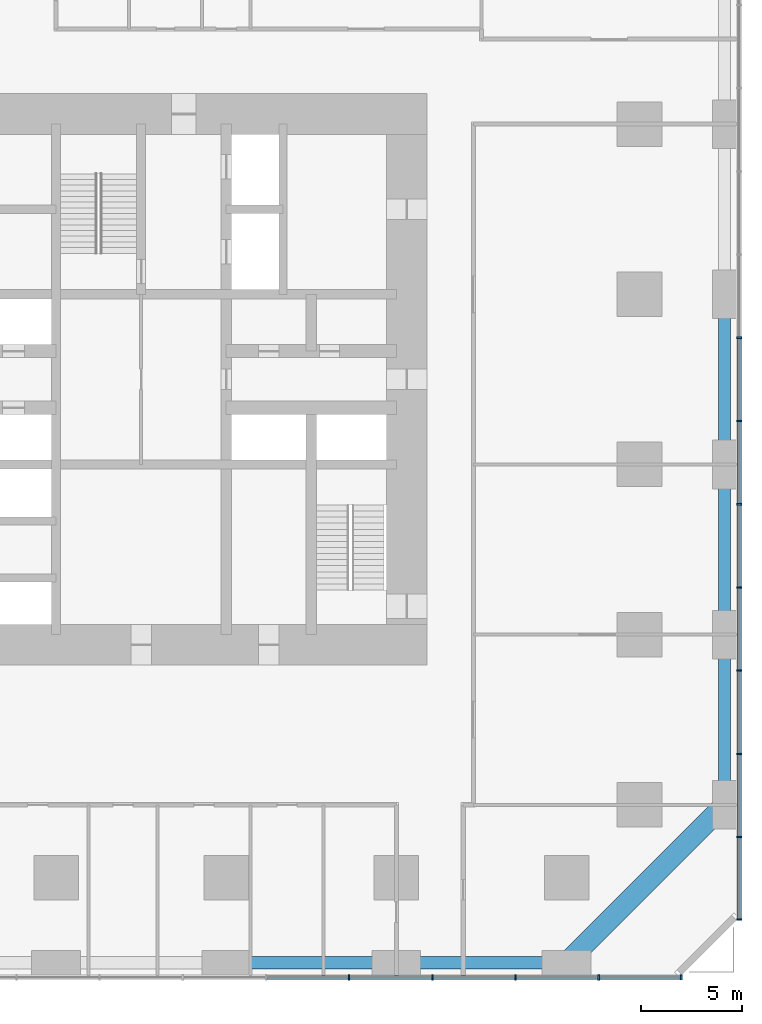
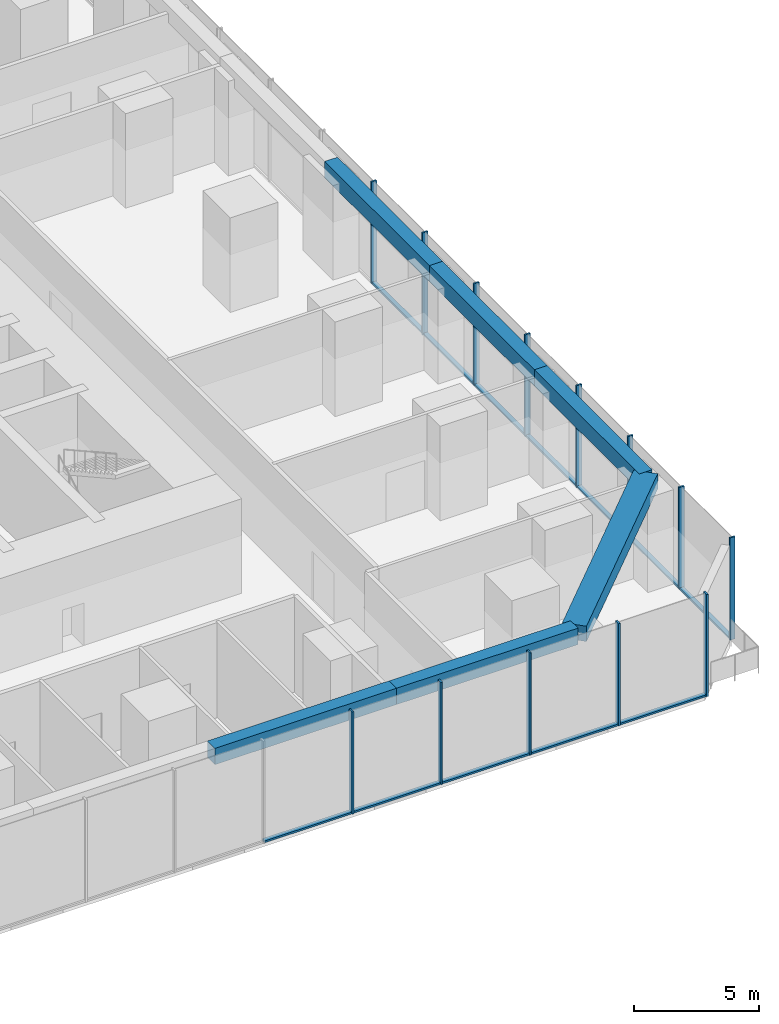
# One storey, part 3 of 12: 25 members, 6 beams, 2 elements without a shape of their own.
"""IFC4 building model written with IfcOpenShell, lengths in metres."""

import ifcopenshell
import ifcopenshell.guid

model = None  # the IFC model being written
_history = None  # IfcOwnerHistory: only IFC2X3 demands one
_inside = {}  # id of a spatial element -> (the spatial element, [elements in it])
_under = {}  # id of a project, library or spatial element -> (it, [spatial elements below it])
_declared = {}  # id of a project -> (the project, [libraries it declares])
_typed = {}  # id of a type object -> (the type object, [elements of that type])
_made_of = {}  # id of a material, layer set ... -> (it, [elements and type objects made of it])


def new_model(schema):
    """Start an empty IFC model of exactly this schema.

    Asked for "IFC4X3", IfcOpenShell would pick the latest addendum, in which some entities
    have other attributes; the version numbers below select the first issue.
    IFC2X3 requires an IfcOwnerHistory on every rooted entity: one is made here for all.
    """
    global model, _history
    if schema == "IFC4X3":
        model = ifcopenshell.file(schema_version=(4, 3, 0, 0))
    else:
        model = ifcopenshell.file(schema=schema)
    _inside.clear()
    _under.clear()
    _declared.clear()
    _typed.clear()
    _made_of.clear()
    _history = None
    if model.schema == "IFC2X3":
        org = make("IfcOrganization", Name="unknown")
        user = make(
            "IfcPersonAndOrganization",
            ThePerson=make("IfcPerson", FamilyName="unknown"),
            TheOrganization=org,
        )
        app = make(
            "IfcApplication",
            ApplicationDeveloper=org,
            Version="unknown",
            ApplicationFullName="unknown",
            ApplicationIdentifier="unknown",
        )
        _history = make(
            "IfcOwnerHistory",
            OwningUser=user,
            OwningApplication=app,
            ChangeAction="ADDED",
            CreationDate=0,
        )
    return model


def make(cls, **values):
    """One entity of the class cls with the attributes given. An attribute that is None is left unset."""
    return model.create_entity(
        cls, **{name: value for name, value in values.items() if value is not None}
    )


def rooted(cls, **values):
    """An entity with a GlobalId (a new one), such as an element, a storey or a relation."""
    return make(cls, GlobalId=ifcopenshell.guid.new(), OwnerHistory=_history, **values)


def si_unit(unit_type, name, prefix=None):
    """IfcSIUnit, for example si_unit("LENGTHUNIT", "METRE", prefix="MILLI")."""
    return make("IfcSIUnit", UnitType=unit_type, Prefix=prefix, Name=name)


def assignment(units):
    """IfcUnitAssignment: the units of a project."""
    return None if units is None else make("IfcUnitAssignment", Units=units)


def point(xyz):
    """IfcCartesianPoint."""
    return None if xyz is None else make("IfcCartesianPoint", Coordinates=xyz)


def direction(xyz):
    """IfcDirection."""
    return None if xyz is None else make("IfcDirection", DirectionRatios=xyz)


def frame(location, z_axis=None, x_axis=None):
    """IfcAxis2Placement3D, a coordinate frame: its origin and axes. An axis left out is left unset."""
    return make(
        "IfcAxis2Placement3D",
        Location=point(location),
        Axis=direction(z_axis),
        RefDirection=direction(x_axis),
    )


def frame_2d(location, x_axis=None):
    """IfcAxis2Placement2D, a coordinate frame in the plane: its origin and x axis."""
    return make(
        "IfcAxis2Placement2D", Location=point(location), RefDirection=direction(x_axis)
    )


def origin():
    """The frame at (0, 0, 0) with its axes left unset."""
    return frame((0.0, 0.0, 0.0))


def origin_2d():
    """The frame at (0, 0) in the plane with its x axis left unset."""
    return frame_2d((0.0, 0.0))


def place(relative_to, where):
    """IfcLocalPlacement: puts the frame where relative to a parent placement (None: the world)."""
    return make(
        "IfcLocalPlacement", PlacementRelTo=relative_to, RelativePlacement=where
    )


def context(
    kind, dimensions, precision=None, world=None, true_north=None, identifier=None
):
    """IfcGeometricRepresentationContext, for example the 3D "Model" context."""
    return make(
        "IfcGeometricRepresentationContext",
        ContextIdentifier=identifier,
        ContextType=kind,
        CoordinateSpaceDimension=dimensions,
        Precision=precision,
        WorldCoordinateSystem=world,
        TrueNorth=true_north,
    )


def subcontext(parent, identifier, kind, view, scale=None):
    """IfcGeometricRepresentationSubContext, for example "Body" below "Model"."""
    return make(
        "IfcGeometricRepresentationSubContext",
        ContextIdentifier=identifier,
        ContextType=kind,
        ParentContext=parent,
        TargetScale=scale,
        TargetView=view,
    )


def project(units=None, contexts=None):
    """IfcProject with its units and contexts."""
    return rooted(
        "IfcProject",
        Name="project",
        RepresentationContexts=contexts,
        UnitsInContext=assignment(units),
    )


def spatial(cls, under=None, at=None, **own):
    """A site, building, storey or space (cls), placed at a placement, below another one or the project."""
    s = rooted(cls, ObjectPlacement=at, **own)
    if under is not None:
        _under.setdefault(under.id(), (under, []))[1].append(s)
    return s


def profile(cls, at=None, kind="AREA", **sizes):
    """A parametric profile (cls). Its sizes go by their IFC names, for example OverallWidth=200.0."""
    return make(cls, ProfileType=kind, Position=at, **sizes)


def rectangle(**sizes):
    """IfcRectangleProfileDef."""
    return profile("IfcRectangleProfileDef", **sizes)


def extrude(swept, where, along, depth):
    """IfcExtrudedAreaSolid: the profile swept, set in the frame where, extruded along a direction by depth."""
    return make(
        "IfcExtrudedAreaSolid",
        SweptArea=swept,
        Position=where,
        ExtrudedDirection=direction(along),
        Depth=depth,
    )


def shape(context_of_items, identifier, shape_type, items):
    """IfcShapeRepresentation: the items that make up one representation, for example the "Body"."""
    return make(
        "IfcShapeRepresentation",
        ContextOfItems=context_of_items,
        RepresentationIdentifier=identifier,
        RepresentationType=shape_type,
        Items=items,
    )


def material(Name=None, Category=None):
    """IfcMaterial."""
    return make("IfcMaterial", Name=Name, Category=Category)


def material_profile(
    of_material, cross_section, Name=None, Category=None, Priority=None
):
    """IfcMaterialProfile: a cross section and its material."""
    return make(
        "IfcMaterialProfile",
        Name=Name,
        Material=of_material,
        Profile=cross_section,
        Priority=Priority,
        Category=Category,
    )


def profile_set(profiles, Name=None, composite=None):
    """IfcMaterialProfileSet."""
    return make(
        "IfcMaterialProfileSet",
        Name=Name,
        MaterialProfiles=profiles,
        CompositeProfile=composite,
    )


def made_of(thing, what):
    """Note that an element or type object is made of a material, layer set ...; save() writes the relation."""
    if what is not None:
        _made_of.setdefault(what.id(), (what, []))[1].append(thing)
    return thing


def type_object(cls, material=None, **own):
    """A type object (cls), such as IfcWallType, which elements share."""
    return made_of(rooted(cls, **own), material)


def element(
    cls,
    number,
    at=None,
    inside=None,
    cuts=None,
    type_object=None,
    material=None,
    context=None,
    identifier="Body",
    shape_type=None,
    held_by="IfcProductDefinitionShape",
    body=None,
    shapes=None,
    **own,
):
    """One element of the class cls, such as IfcWall. Its Tag is "e" and its number.

    at: its placement. inside: the storey or other place that contains it. cuts: it is an
    opening in that element (IfcRelVoidsElement). A single representation is given by context,
    identifier, shape_type and body (its items); several are given by shapes. held_by: the class
    of the entity that holds the representations. save() writes the other relations.
    """
    e = rooted(cls, Tag="e%d" % number, ObjectPlacement=at, **own)
    if body is not None:
        shapes = [shape(context, identifier, shape_type, body)]
    if shapes is not None:
        e.Representation = make(held_by, Representations=shapes)
    if inside is not None:
        _inside.setdefault(inside.id(), (inside, []))[1].append(e)
    if cuts is not None:
        rooted(
            "IfcRelVoidsElement", RelatingBuildingElement=cuts, RelatedOpeningElement=e
        )
    if type_object is not None:
        _typed.setdefault(type_object.id(), (type_object, []))[1].append(e)
    return made_of(e, material)


def aggregate(whole, parts):
    """IfcRelAggregates: a whole, such as a stair, and the parts it consists of."""
    return rooted("IfcRelAggregates", RelatingObject=whole, RelatedObjects=parts)


def save(model, path):
    """Write the relations noted so far, then the file.

    IfcRelAggregates (storeys below a building ...), IfcRelContainedInSpatialStructure (elements
    in a storey), IfcRelDefinesByType, IfcRelAssociatesMaterial and IfcRelDeclares: one each for
    every whole, place, type object, material and project.
    """
    for whole, parts in _under.values():
        aggregate(whole, parts)
    for where, things in _inside.values():
        rooted(
            "IfcRelContainedInSpatialStructure",
            RelatedElements=things,
            RelatingStructure=where,
        )
    for kind, things in _typed.values():
        rooted("IfcRelDefinesByType", RelatedObjects=things, RelatingType=kind)
    for what, things in _made_of.values():
        rooted("IfcRelAssociatesMaterial", RelatedObjects=things, RelatingMaterial=what)
    for by, libraries in _declared.values():
        rooted("IfcRelDeclares", RelatingContext=by, RelatedDefinitions=libraries)
    model.write(path)


model = new_model("IFC4")

# Units and contexts
model_context = context("Model", 3, precision=1e-05, world=origin(), true_north=direction((0.0, 1.0)))
body_context = subcontext(model_context, "Body", "Model", "MODEL_VIEW")
ifc_project = project(units=[si_unit("LENGTHUNIT", "METRE"), si_unit("AREAUNIT", "SQUARE_METRE"), si_unit("VOLUMEUNIT", "CUBIC_METRE"), si_unit("PLANEANGLEUNIT", "RADIAN"), si_unit("MASSUNIT", "GRAM", prefix="KILO")], contexts=[model_context])

# Site, building, storey
site_placement = place(None, origin())
site = spatial("IfcSite", under=ifc_project, at=site_placement, CompositionType="ELEMENT")
building_placement = place(site_placement, origin())
building = spatial("IfcBuilding", under=site, at=building_placement, Name="Dunama Terrace Hotel", CompositionType="ELEMENT")
storey_placement = place(building_placement, frame((0.0, 0.0, 22.0)))
storey = spatial("IfcBuildingStorey", under=building, at=storey_placement, Name="L04", CompositionType="ELEMENT", Elevation=22.0)

# Curtain wall, members
ifc_material_1 = material(Name="Aluminium curtain wall system", Category="aluminium")
curtain_wall_type = type_object("IfcCurtainWallType", Name="Podium storefront glazing CW-E", PredefinedType="NOTDEFINED", material=ifc_material_1)
curtain_wall_1_placement = place(storey_placement, origin())
curtain_wall_1 = element("IfcCurtainWall", 1, at=curtain_wall_1_placement, inside=storey, type_object=curtain_wall_type, Name="Podium storefront glazing CW-E L04", PredefinedType="NOTDEFINED")
ifc_material_2 = material(Name="Aluminium mullion", Category="aluminium")
ifc_material_profile_1 = material_profile(ifc_material_2, rectangle(XDim=0.080078125, YDim=0.25, at=origin_2d()), Name="CWE MULLION 80X250")
ifc_profile_set_1 = profile_set([ifc_material_profile_1], Name="Aluminium mullion")
member_type_1 = type_object("IfcMemberType", Name="CWE mullion 80x250", PredefinedType="MULLION", material=ifc_profile_set_1)
member_1_placement = place(storey_placement, frame((39.6689453125, -0.125, 0.0), z_axis=(0.0, 0.0, 1.0), x_axis=(1.0, 0.0, 0.0)))
member_1 = element("IfcMember", 2, at=member_1_placement, type_object=member_type_1, Name="CWE mullion", PredefinedType="MULLION", context=body_context, shape_type="SweptSolid", body=[
    extrude(rectangle(XDim=0.080078125, YDim=0.25, at=origin_2d()), origin(), (0.0, 0.0, 1.0), 5.0),
])
member_2_placement = place(storey_placement, frame((43.777099609375, -0.125, 0.0), z_axis=(0.0, 0.0, 1.0), x_axis=(1.0, 0.0, 0.0)))
member_2 = element("IfcMember", 3, at=member_2_placement, type_object=member_type_1, Name="CWE mullion", PredefinedType="MULLION", context=body_context, shape_type="SweptSolid", body=[
    extrude(rectangle(XDim=0.080078125, YDim=0.25, at=origin_2d()), origin(), (0.0, 0.0, 1.0), 5.0),
])
member_3_placement = place(storey_placement, frame((47.885009765625, -0.125, 0.0), z_axis=(0.0, 0.0, 1.0), x_axis=(1.0, 0.0, 0.0)))
member_3 = element("IfcMember", 4, at=member_3_placement, type_object=member_type_1, Name="CWE mullion", PredefinedType="MULLION", context=body_context, shape_type="SweptSolid", body=[
    extrude(rectangle(XDim=0.080078125, YDim=0.25, at=origin_2d()), origin(), (0.0, 0.0, 1.0), 5.0),
])
member_4_placement = place(storey_placement, frame((51.991943359375, -0.125, 0.0), z_axis=(0.0, 0.0, 1.0), x_axis=(1.0, 0.0, 0.0)))
member_4 = element("IfcMember", 5, at=member_4_placement, type_object=member_type_1, Name="CWE mullion", PredefinedType="MULLION", context=body_context, shape_type="SweptSolid", body=[
    extrude(rectangle(XDim=0.080078125, YDim=0.25, at=origin_2d()), origin(), (0.0, 0.0, 1.0), 5.0),
])
member_5_placement = place(storey_placement, frame((56.06005859375, -0.125, 0.0), z_axis=(0.0, 0.0, 1.0), x_axis=(1.0, 0.0, 0.0)))
member_5 = element("IfcMember", 6, at=member_5_placement, type_object=member_type_1, Name="CWE mullion", PredefinedType="MULLION", context=body_context, shape_type="SweptSolid", body=[
    extrude(rectangle(XDim=0.080078125, YDim=0.25, at=origin_2d()), origin(), (0.0, 0.0, 1.0), 5.0),
])

curtain_wall_2_placement = place(storey_placement, origin())
curtain_wall_2 = element("IfcCurtainWall", 7, at=curtain_wall_2_placement, inside=storey, type_object=curtain_wall_type, Name="Podium storefront glazing CW-E L04", PredefinedType="NOTDEFINED")
member_6_placement = place(storey_placement, frame((58.925048828125, 2.739990234375, 0.0), z_axis=(0.0, 0.0, 1.0), x_axis=(0.0, 1.0, 0.0)))
member_6 = element("IfcMember", 8, at=member_6_placement, type_object=member_type_1, Name="CWE mullion", PredefinedType="MULLION", context=body_context, shape_type="SweptSolid", body=[
    extrude(rectangle(XDim=0.080078125, YDim=0.25, at=origin_2d()), origin(), (0.0, 0.0, 1.0), 5.0),
])
member_7_placement = place(storey_placement, frame((58.925048828125, 6.80810546875, 0.0), z_axis=(0.0, 0.0, 1.0), x_axis=(0.0, 1.0, 0.0)))
member_7 = element("IfcMember", 9, at=member_7_placement, type_object=member_type_1, Name="CWE mullion", PredefinedType="MULLION", context=body_context, shape_type="SweptSolid", body=[
    extrude(rectangle(XDim=0.080078125, YDim=0.25, at=origin_2d()), origin(), (0.0, 0.0, 1.0), 5.0),
])
member_8_placement = place(storey_placement, frame((58.925048828125, 10.9150390625, 0.0), z_axis=(0.0, 0.0, 1.0), x_axis=(0.0, 1.0, 0.0)))
member_8 = element("IfcMember", 10, at=member_8_placement, type_object=member_type_1, Name="CWE mullion", PredefinedType="MULLION", context=body_context, shape_type="SweptSolid", body=[
    extrude(rectangle(XDim=0.080078125, YDim=0.25, at=origin_2d()), origin(), (0.0, 0.0, 1.0), 5.0),
])
member_9_placement = place(storey_placement, frame((58.925048828125, 15.02294921875, 0.0), z_axis=(0.0, 0.0, 1.0), x_axis=(0.0, 1.0, 0.0)))
member_9 = element("IfcMember", 11, at=member_9_placement, type_object=member_type_1, Name="CWE mullion", PredefinedType="MULLION", context=body_context, shape_type="SweptSolid", body=[
    extrude(rectangle(XDim=0.080078125, YDim=0.25, at=origin_2d()), origin(), (0.0, 0.0, 1.0), 5.0),
])
member_10_placement = place(storey_placement, frame((58.925048828125, 19.131103515625, 0.0), z_axis=(0.0, 0.0, 1.0), x_axis=(0.0, 1.0, 0.0)))
member_10 = element("IfcMember", 12, at=member_10_placement, type_object=member_type_1, Name="CWE mullion", PredefinedType="MULLION", context=body_context, shape_type="SweptSolid", body=[
    extrude(rectangle(XDim=0.080078125, YDim=0.25, at=origin_2d()), origin(), (0.0, 0.0, 1.0), 5.0),
])
member_11_placement = place(storey_placement, frame((58.925048828125, 23.238037109375, 0.0), z_axis=(0.0, 0.0, 1.0), x_axis=(0.0, 1.0, 0.0)))
member_11 = element("IfcMember", 13, at=member_11_placement, type_object=member_type_1, Name="CWE mullion", PredefinedType="MULLION", context=body_context, shape_type="SweptSolid", body=[
    extrude(rectangle(XDim=0.080078125, YDim=0.25, at=origin_2d()), origin(), (0.0, 0.0, 1.0), 5.0),
])
member_12_placement = place(storey_placement, frame((58.925048828125, 27.345947265625, 0.0), z_axis=(0.0, 0.0, 1.0), x_axis=(0.0, 1.0, 0.0)))
member_12 = element("IfcMember", 14, at=member_12_placement, type_object=member_type_1, Name="CWE mullion", PredefinedType="MULLION", context=body_context, shape_type="SweptSolid", body=[
    extrude(rectangle(XDim=0.080078125, YDim=0.25, at=origin_2d()), origin(), (0.0, 0.0, 1.0), 5.0),
])
member_13_placement = place(storey_placement, frame((58.925048828125, 31.4541015625, 0.0), z_axis=(0.0, 0.0, 1.0), x_axis=(0.0, 1.0, 0.0)))
member_13 = element("IfcMember", 15, at=member_13_placement, type_object=member_type_1, Name="CWE mullion", PredefinedType="MULLION", context=body_context, shape_type="SweptSolid", body=[
    extrude(rectangle(XDim=0.080078125, YDim=0.25, at=origin_2d()), origin(), (0.0, 0.0, 1.0), 5.0),
])

# Member
ifc_material_3 = material(Name="Aluminium transom", Category="aluminium")
ifc_material_profile_2 = material_profile(ifc_material_3, rectangle(XDim=0.199951171875, YDim=0.090087890625, at=origin_2d()), Name="CWE TRANSOM 200X90")
ifc_profile_set_2 = profile_set([ifc_material_profile_2], Name="Aluminium transom")
member_type_2 = type_object("IfcMemberType", Name="CWE transom 200x90", PredefinedType="USERDEFINED", material=ifc_profile_set_2)
member_14_placement = place(storey_placement, frame((35.60205078125, -0.125, 0.044921875), z_axis=(1.0, 0.0, 0.0), x_axis=(0.0, 1.0, 0.0)))
member_14 = element("IfcMember", 16, at=member_14_placement, type_object=member_type_2, Name="CWE transom", ObjectType="TRANSOM", PredefinedType="USERDEFINED", context=body_context, shape_type="SweptSolid", body=[
    extrude(rectangle(XDim=0.199951171875, YDim=0.090087890625, at=origin_2d()), origin(), (0.0, 0.0, 1.0), 4.02685546875),
])

member_15_placement = place(storey_placement, frame((39.708984375, -0.125, 0.044921875), z_axis=(1.0, 0.0, 0.0), x_axis=(0.0, 1.0, 0.0)))
member_15 = element("IfcMember", 17, at=member_15_placement, type_object=member_type_2, Name="CWE transom", ObjectType="TRANSOM", PredefinedType="USERDEFINED", context=body_context, shape_type="SweptSolid", body=[
    extrude(rectangle(XDim=0.199951171875, YDim=0.090087890625, at=origin_2d()), origin(), (0.0, 0.0, 1.0), 4.028076171875),
])

member_16_placement = place(storey_placement, frame((43.81689453125, -0.125, 0.044921875), z_axis=(1.0, 0.0, 0.0), x_axis=(0.0, 1.0, 0.0)))
member_16 = element("IfcMember", 18, at=member_16_placement, type_object=member_type_2, Name="CWE transom", ObjectType="TRANSOM", PredefinedType="USERDEFINED", context=body_context, shape_type="SweptSolid", body=[
    extrude(rectangle(XDim=0.199951171875, YDim=0.090087890625, at=origin_2d()), origin(), (0.0, 0.0, 1.0), 4.028076171875),
])

member_17_placement = place(storey_placement, frame((47.925048828125, -0.125, 0.044921875), z_axis=(1.0, 0.0, 0.0), x_axis=(0.0, 1.0, 0.0)))
member_17 = element("IfcMember", 19, at=member_17_placement, type_object=member_type_2, Name="CWE transom", ObjectType="TRANSOM", PredefinedType="USERDEFINED", context=body_context, shape_type="SweptSolid", body=[
    extrude(rectangle(XDim=0.199951171875, YDim=0.090087890625, at=origin_2d()), origin(), (0.0, 0.0, 1.0), 4.02685546875),
])

member_18_placement = place(storey_placement, frame((52.031982421875, -0.125, 0.044921875), z_axis=(1.0, 0.0, 0.0), x_axis=(0.0, 1.0, 0.0)))
member_18 = element("IfcMember", 20, at=member_18_placement, type_object=member_type_2, Name="CWE transom", ObjectType="TRANSOM", PredefinedType="USERDEFINED", context=body_context, shape_type="SweptSolid", body=[
    extrude(rectangle(XDim=0.199951171875, YDim=0.090087890625, at=origin_2d()), origin(), (0.0, 0.0, 1.0), 3.988037109375),
])

aggregate(curtain_wall_1, [member_1, member_2, member_3, member_4, member_5, member_14, member_15, member_16, member_17, member_18])

member_19_placement = place(storey_placement, frame((58.925048828125, 2.780029296875, 0.044921875), z_axis=(0.0, 1.0, 0.0), x_axis=(-1.0, 0.0, 0.0)))
member_19 = element("IfcMember", 21, at=member_19_placement, type_object=member_type_2, Name="CWE transom", ObjectType="TRANSOM", PredefinedType="USERDEFINED", context=body_context, shape_type="SweptSolid", body=[
    extrude(rectangle(XDim=0.199951171875, YDim=0.090087890625, at=origin_2d()), origin(), (0.0, 0.0, 1.0), 3.988037109375),
])

member_20_placement = place(storey_placement, frame((58.925048828125, 6.847900390625, 0.044921875), z_axis=(0.0, 1.0, 0.0), x_axis=(-1.0, 0.0, 0.0)))
member_20 = element("IfcMember", 22, at=member_20_placement, type_object=member_type_2, Name="CWE transom", ObjectType="TRANSOM", PredefinedType="USERDEFINED", context=body_context, shape_type="SweptSolid", body=[
    extrude(rectangle(XDim=0.199951171875, YDim=0.090087890625, at=origin_2d()), origin(), (0.0, 0.0, 1.0), 4.027099609375),
])

member_21_placement = place(storey_placement, frame((58.925048828125, 10.955078125, 0.044921875), z_axis=(0.0, 1.0, 0.0), x_axis=(-1.0, 0.0, 0.0)))
member_21 = element("IfcMember", 23, at=member_21_placement, type_object=member_type_2, Name="CWE transom", ObjectType="TRANSOM", PredefinedType="USERDEFINED", context=body_context, shape_type="SweptSolid", body=[
    extrude(rectangle(XDim=0.199951171875, YDim=0.090087890625, at=origin_2d()), origin(), (0.0, 0.0, 1.0), 4.02783203125),
])

member_22_placement = place(storey_placement, frame((58.925048828125, 15.06298828125, 0.044921875), z_axis=(0.0, 1.0, 0.0), x_axis=(-1.0, 0.0, 0.0)))
member_22 = element("IfcMember", 24, at=member_22_placement, type_object=member_type_2, Name="CWE transom", ObjectType="TRANSOM", PredefinedType="USERDEFINED", context=body_context, shape_type="SweptSolid", body=[
    extrude(rectangle(XDim=0.199951171875, YDim=0.090087890625, at=origin_2d()), origin(), (0.0, 0.0, 1.0), 4.028076171875),
])

member_23_placement = place(storey_placement, frame((58.925048828125, 19.1708984375, 0.044921875), z_axis=(0.0, 1.0, 0.0), x_axis=(-1.0, 0.0, 0.0)))
member_23 = element("IfcMember", 25, at=member_23_placement, type_object=member_type_2, Name="CWE transom", ObjectType="TRANSOM", PredefinedType="USERDEFINED", context=body_context, shape_type="SweptSolid", body=[
    extrude(rectangle(XDim=0.199951171875, YDim=0.090087890625, at=origin_2d()), origin(), (0.0, 0.0, 1.0), 4.027099609375),
])

member_24_placement = place(storey_placement, frame((58.925048828125, 23.278076171875, 0.044921875), z_axis=(0.0, 1.0, 0.0), x_axis=(-1.0, 0.0, 0.0)))
member_24 = element("IfcMember", 26, at=member_24_placement, type_object=member_type_2, Name="CWE transom", ObjectType="TRANSOM", PredefinedType="USERDEFINED", context=body_context, shape_type="SweptSolid", body=[
    extrude(rectangle(XDim=0.199951171875, YDim=0.090087890625, at=origin_2d()), origin(), (0.0, 0.0, 1.0), 4.02783203125),
])

member_25_placement = place(storey_placement, frame((58.925048828125, 27.385986328125, 0.044921875), z_axis=(0.0, 1.0, 0.0), x_axis=(-1.0, 0.0, 0.0)))
member_25 = element("IfcMember", 27, at=member_25_placement, type_object=member_type_2, Name="CWE transom", ObjectType="TRANSOM", PredefinedType="USERDEFINED", context=body_context, shape_type="SweptSolid", body=[
    extrude(rectangle(XDim=0.199951171875, YDim=0.090087890625, at=origin_2d()), origin(), (0.0, 0.0, 1.0), 4.028076171875),
])

aggregate(curtain_wall_2, [member_6, member_7, member_8, member_9, member_10, member_11, member_12, member_13, member_19, member_20, member_21, member_22, member_23, member_24, member_25])

# Beams
ifc_material_4 = material(Name="Concrete C50/60", Category="concrete")
ifc_material_profile_3 = material_profile(ifc_material_4, rectangle(XDim=1.0, YDim=0.75, at=origin_2d()), Name="RC 1000x750")
ifc_profile_set_3 = profile_set([ifc_material_profile_3], Name="Concrete C50/60")
beam_type_1 = type_object("IfcBeamType", Name="Edge beam RC 1000x750", PredefinedType="SPANDREL", material=ifc_profile_set_3)
beam_1_placement = place(storey_placement, frame((50.39990234375, 0.60009765625, 4.625), z_axis=(0.707117847453, 0.707095714747, 0.0), x_axis=(-0.707095714747, 0.707117847453, 0.0)))
element("IfcBeam", 28, at=beam_1_placement, inside=storey, type_object=beam_type_1, Name="Corner edge beam under L05", PredefinedType="SPANDREL", context=body_context, shape_type="SweptSolid", body=[
    extrude(rectangle(XDim=1.0, YDim=0.75, at=origin_2d()), origin(), (0.0, 0.0, 1.0), 11.03076171875),
])
ifc_material_5 = material(Name="Concrete C40/50", Category="concrete")
ifc_material_profile_4 = material_profile(ifc_material_5, rectangle(XDim=0.60009765625, YDim=0.800048828125, at=origin_2d()), Name="RC 600x800")
ifc_profile_set_4 = profile_set([ifc_material_profile_4], Name="Concrete C40/50")
beam_type_2 = type_object("IfcBeamType", Name="Edge beam RC 600x800", PredefinedType="SPANDREL", material=ifc_profile_set_4)
beam_2_placement = place(storey_placement, frame((58.199951171875, 8.39990234375, 4.60009765625), z_axis=(0.0, 1.0, 0.0), x_axis=(-1.0, 0.0, 0.0)))
element("IfcBeam", 29, at=beam_2_placement, inside=storey, type_object=beam_type_2, Name="Edge beam under L05", PredefinedType="SPANDREL", context=body_context, shape_type="SweptSolid", body=[
    extrude(rectangle(XDim=0.60009765625, YDim=0.800048828125, at=origin_2d()), origin(), (0.0, 0.0, 1.0), 8.400146484375),
])
beam_3_placement = place(storey_placement, frame((58.199951171875, 16.800048828125, 4.60009765625), z_axis=(0.0, 1.0, 0.0), x_axis=(-1.0, 0.0, 0.0)))
element("IfcBeam", 30, at=beam_3_placement, inside=storey, type_object=beam_type_2, Name="Edge beam under L05", PredefinedType="SPANDREL", context=body_context, shape_type="SweptSolid", body=[
    extrude(rectangle(XDim=0.60009765625, YDim=0.800048828125, at=origin_2d()), origin(), (0.0, 0.0, 1.0), 8.39990234375),
])
beam_4_placement = place(storey_placement, frame((58.199951171875, 25.199951171875, 4.60009765625), z_axis=(0.0, 1.0, 0.0), x_axis=(-1.0, 0.0, 0.0)))
element("IfcBeam", 31, at=beam_4_placement, inside=storey, type_object=beam_type_2, Name="Edge beam under L05", PredefinedType="SPANDREL", context=body_context, shape_type="SweptSolid", body=[
    extrude(rectangle(XDim=0.60009765625, YDim=0.800048828125, at=origin_2d()), origin(), (0.0, 0.0, 1.0), 8.400146484375),
])
for number, where, z_axis, x_axis, name in (
    (32, (33.60009765625, 0.60009765625, 4.60009765625), (1.0, 0.0, 0.0), (0.0, 1.0, 0.0), "Edge beam under L05"),
    (33, (42.0, 0.60009765625, 4.60009765625), (1.0, 0.0, 0.0), (0.0, 1.0, 0.0), "Edge beam under L05"),
):
    element("IfcBeam", number, at=place(storey_placement, frame(where, z_axis=z_axis, x_axis=x_axis)), inside=storey, type_object=beam_type_2, Name=name, PredefinedType="SPANDREL", context=body_context, shape_type="SweptSolid", body=[
        extrude(rectangle(XDim=0.60009765625, YDim=0.800048828125, at=origin_2d()), origin(), (0.0, 0.0, 1.0), 8.39990234375),
    ])

save(model, "model.ifc")
